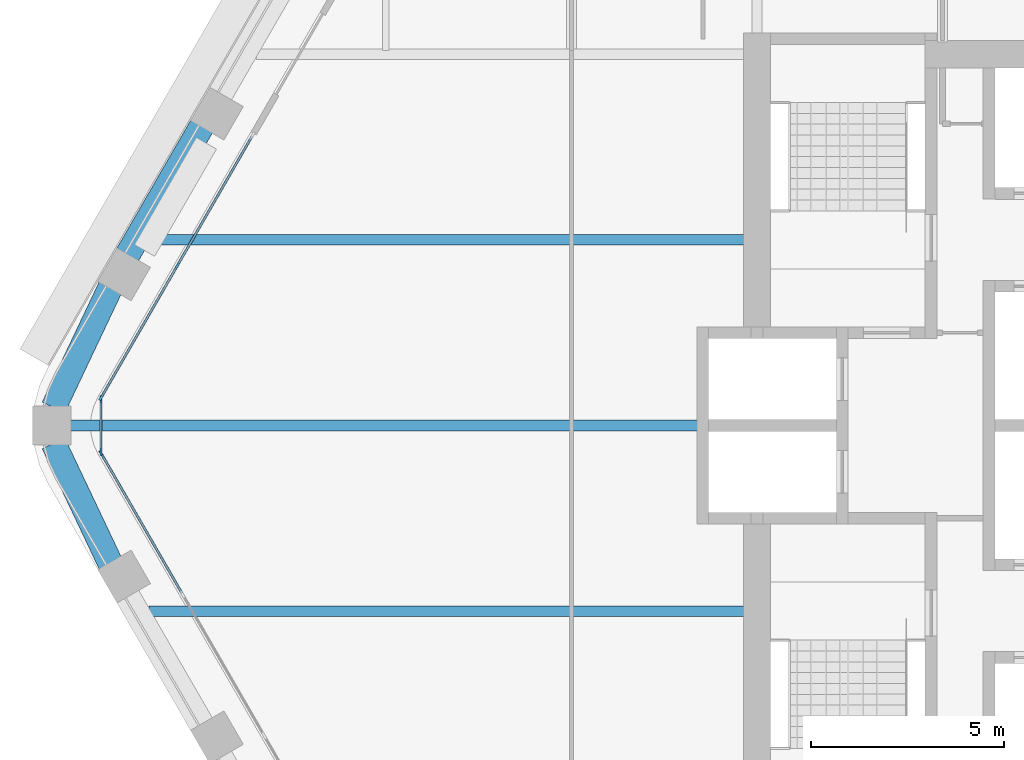
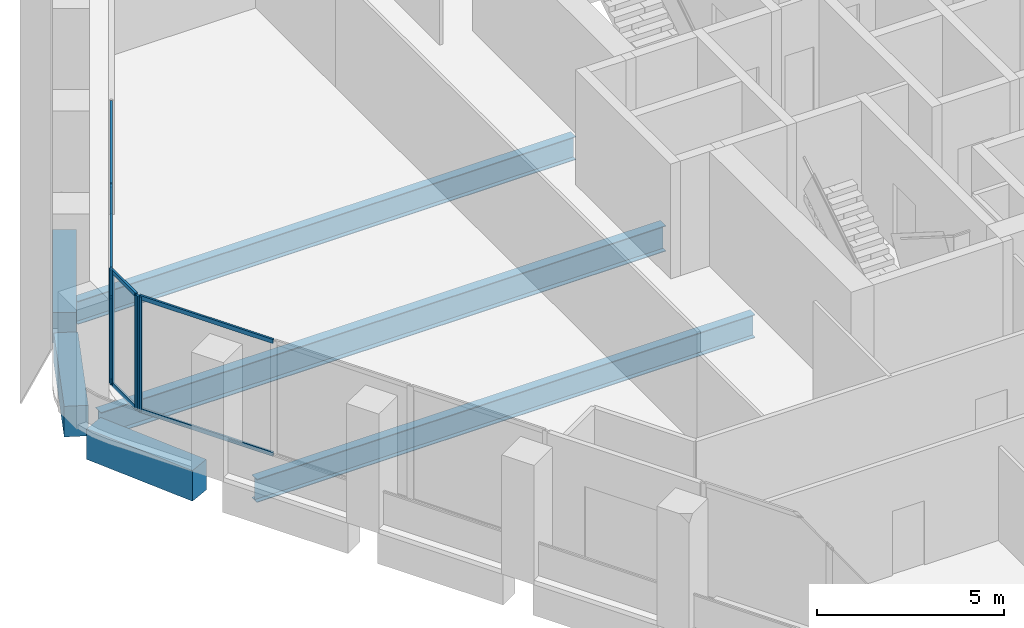
# One storey, part 3 of 15: 13 members, 6 beams, 3 elements without a shape of their own.
"""IFC4 building model written with IfcOpenShell, lengths in metres."""

from ifc_helpers import new_model, si_unit, direction, frame, origin, origin_2d, place, context, subcontext, project, spatial, rectangle, i_section, extrude, material, material_profile, profile_set, type_object, element, aggregate, save


model = new_model("IFC4")

# Units and contexts
model_context = context("Model", 3, precision=1e-05, world=origin(), true_north=direction((0.0, 1.0)))
body_context = subcontext(model_context, "Body", "Model", "MODEL_VIEW")
ifc_project = project(units=[si_unit("LENGTHUNIT", "METRE"), si_unit("AREAUNIT", "SQUARE_METRE"), si_unit("VOLUMEUNIT", "CUBIC_METRE"), si_unit("PLANEANGLEUNIT", "RADIAN"), si_unit("MASSUNIT", "GRAM", prefix="KILO")], contexts=[model_context])

# Site, building, storey
site_placement = place(None, origin())
site = spatial("IfcSite", under=ifc_project, at=site_placement, CompositionType="ELEMENT")
building_placement = place(site_placement, origin())
building = spatial("IfcBuilding", under=site, at=building_placement, Name="Kolab Exchange Tower", CompositionType="ELEMENT")
storey_placement = place(building_placement, frame((0.0, 0.0, 142.699951171875)))
storey = spatial("IfcBuildingStorey", under=building, at=storey_placement, Name="L28", CompositionType="ELEMENT", Elevation=142.699951171875)

# Beams
ifc_material_1 = material(Name="Steel S355", Category="steel")
ifc_material_profile_1 = material_profile(ifc_material_1, i_section(OverallWidth=0.26708984375, OverallDepth=0.761962890625, WebThickness=0.014404296875, FlangeThickness=0.021484375, at=origin_2d()), Name="W760X173")
ifc_profile_set_1 = profile_set([ifc_material_profile_1], Name="Steel S355")
beam_type_1 = type_object("IfcBeamType", Name="FLOOR BEAM W760X173", PredefinedType="BEAM", material=ifc_profile_set_1)
for number, where, z_axis, x_axis, name in (
    (1, (-25.318115234375, -4.800048828125, -0.531005859375), (1.0, 0.0, 0.0), (0.0, 1.0, 0.0), "beam/L28/fr/001"),
    (2, (-25.318115234375, 4.800048828125, -0.531005859375), (1.0, 0.0, 0.0), (0.0, 1.0, 0.0), "beam/L28/fr/002"),
):
    element("IfcBeam", number, at=place(storey_placement, frame(where, z_axis=z_axis, x_axis=x_axis)), inside=storey, type_object=beam_type_1, Name=name, PredefinedType="BEAM", context=body_context, shape_type="SweptSolid", body=[
        extrude(i_section(OverallWidth=0.26708984375, OverallDepth=0.761962890625, WebThickness=0.014404296875, FlangeThickness=0.021484375, at=origin_2d()), origin(), (0.0, 0.0, 1.0), 15.408203125),
    ])
ifc_material_profile_2 = material_profile(ifc_material_1, i_section(OverallWidth=0.2919921875, OverallDepth=0.840087890625, WebThickness=0.0146484375, FlangeThickness=0.021728515625, at=origin_2d()), Name="W840X193")
ifc_profile_set_2 = profile_set([ifc_material_profile_2], Name="Steel S355")
beam_type_2 = type_object("IfcBeamType", Name="FLOOR BEAM W840X193", PredefinedType="BEAM", material=ifc_profile_set_2)
beam_1_placement = place(storey_placement, frame((-27.3759765625, 0.0, -0.570068359375), z_axis=(1.0, 0.0, 0.0), x_axis=(0.0, 1.0, 0.0)))
element("IfcBeam", 3, at=beam_1_placement, inside=storey, type_object=beam_type_2, Name="beam/L28/fr/000", PredefinedType="BEAM", context=body_context, shape_type="SweptSolid", body=[
    extrude(i_section(OverallWidth=0.2919921875, OverallDepth=0.840087890625, WebThickness=0.0146484375, FlangeThickness=0.021728515625, at=origin_2d()), origin(), (0.0, 0.0, 1.0), 17.466064453125),
])
ifc_material_2 = material(Name="Concrete C60/75", Category="concrete")
ifc_material_profile_3 = material_profile(ifc_material_2, rectangle(XDim=0.64990234375, YDim=1.0, at=origin_2d()), Name="RC650X1000")
ifc_profile_set_3 = profile_set([ifc_material_profile_3], Name="Concrete C60/75")
beam_type_3 = type_object("IfcBeamType", Name="SPANDREL BEAM 650X1000 C60/75", PredefinedType="BEAM", material=ifc_profile_set_3)
for number, where, z_axis, x_axis, name in (
    (4, (-26.316162109375, -3.5771484375, -0.64990234375), (-0.428177731975, 0.903694544545, 0.0), (-0.903694544545, -0.428177731975, 0.0), "beam/L28/sp/F5-06"),
    (5, (-27.791259765625, 0.4638671875, -0.64990234375), (0.428177731975, 0.903694544545, 0.0), (-0.903694544545, 0.428177731975, 0.0), "beam/L28/sp/F6-01"),
):
    element("IfcBeam", number, at=place(storey_placement, frame(where, z_axis=z_axis, x_axis=x_axis)), inside=storey, type_object=beam_type_3, Name=name, PredefinedType="BEAM", context=body_context, shape_type="SweptSolid", body=[
        extrude(rectangle(XDim=0.64990234375, YDim=1.0, at=origin_2d()), origin(), (0.0, 0.0, 1.0), 3.445068359375),
    ])
beam_2_placement = place(storey_placement, frame((-25.888427734375, 4.392822265625, -0.64990234375), z_axis=(0.499996613652, 0.866027358884, 0.0), x_axis=(-0.866027358884, 0.499996613652, 0.0)))
element("IfcBeam", 6, at=beam_2_placement, inside=storey, type_object=beam_type_3, Name="beam/L28/sp/F6-02", PredefinedType="BEAM", context=body_context, shape_type="SweptSolid", body=[
    extrude(rectangle(XDim=0.64990234375, YDim=1.0, at=origin_2d()), origin(), (0.0, 0.0, 1.0), 3.8798828125),
])

# Curtain wall, member
ifc_material_3 = material(Name="Aluminium EN AW-6063 T6", Category="aluminium")
curtain_wall_type = type_object("IfcCurtainWallType", Name="UNITISED UPPER MID ZONE CURTAIN WALL", PredefinedType="NOTDEFINED", material=ifc_material_3)
curtain_wall_1_placement = place(storey_placement, origin())
curtain_wall_1 = element("IfcCurtainWall", 7, at=curtain_wall_1_placement, inside=storey, type_object=curtain_wall_type, Name="cw/L28/F5-2", PredefinedType="NOTDEFINED")
ifc_material_profile_4 = material_profile(ifc_material_3, rectangle(XDim=0.06005859375, YDim=0.199951171875, at=origin_2d()), Name="RECT 60X200")
ifc_profile_set_4 = profile_set([ifc_material_profile_4], Name="Aluminium EN AW-6063 T6")
member_type_1 = type_object("IfcMemberType", Name="UNITISED UPPER MID ZONE MULLION 60 X 200", PredefinedType="MULLION", material=ifc_profile_set_4)
member_1_placement = place(storey_placement, frame((-26.550537109375, -0.736083984375, 0.0), z_axis=(0.0, 0.0, 1.0), x_axis=(-0.866025427826, -0.499999958358, 0.0)))
member_1 = element("IfcMember", 8, at=member_1_placement, type_object=member_type_1, Name="CW3 mullion 4", PredefinedType="MULLION", context=body_context, shape_type="SweptSolid", body=[
    extrude(rectangle(XDim=0.06005859375, YDim=0.199951171875, at=origin_2d()), origin(), (0.0, 0.0, 1.0), 3.75),
])

# Curtain wall, members
curtain_wall_2_placement = place(storey_placement, origin())
curtain_wall_2 = element("IfcCurtainWall", 9, at=curtain_wall_2_placement, inside=storey, type_object=curtain_wall_type, Name="cw/L28/F6-1", PredefinedType="NOTDEFINED")
member_2_placement = place(storey_placement, frame((-26.550537109375, 0.736083984375, 0.0), z_axis=(0.0, 0.0, 1.0), x_axis=(-0.866025440524, 0.499999936366, 0.0)))
member_2 = element("IfcMember", 10, at=member_2_placement, type_object=member_type_1, Name="CW3 mullion 1", PredefinedType="MULLION", context=body_context, shape_type="SweptSolid", body=[
    extrude(rectangle(XDim=0.06005859375, YDim=0.199951171875, at=origin_2d()), origin(), (0.0, 0.0, 1.0), 3.75),
])
member_3_placement = place(storey_placement, frame((-24.5986328125, 4.116943359375, 0.0), z_axis=(0.0, 0.0, 1.0), x_axis=(-0.866025440524, 0.499999936366, 0.0)))
member_3 = element("IfcMember", 11, at=member_3_placement, type_object=member_type_1, Name="CW3 mullion 2", PredefinedType="MULLION", context=body_context, shape_type="SweptSolid", body=[
    extrude(rectangle(XDim=0.06005859375, YDim=0.199951171875, at=origin_2d()), origin(), (0.0, 0.0, 1.0), 3.75),
])

curtain_wall_3_placement = place(storey_placement, origin())
curtain_wall_3 = element("IfcCurtainWall", 12, at=curtain_wall_3_placement, inside=storey, type_object=curtain_wall_type, Name="cw/L28/F5F6-corner", PredefinedType="NOTDEFINED")
member_4_placement = place(storey_placement, frame((-26.565673828125, -0.679931640625, 0.0), z_axis=(0.0, 0.0, 1.0), x_axis=(-1.0, 0.0, 0.0)))
member_4 = element("IfcMember", 13, at=member_4_placement, type_object=member_type_1, Name="CW3 mullion 1", PredefinedType="MULLION", context=body_context, shape_type="SweptSolid", body=[
    extrude(rectangle(XDim=0.06005859375, YDim=0.199951171875, at=origin_2d()), origin(), (0.0, 0.0, 1.0), 3.75),
])
member_5_placement = place(storey_placement, frame((-26.565673828125, 0.679931640625, 0.0), z_axis=(0.0, 0.0, 1.0), x_axis=(-1.0, 0.0, 0.0)))
member_5 = element("IfcMember", 14, at=member_5_placement, type_object=member_type_1, Name="CW3 mullion 2", PredefinedType="MULLION", context=body_context, shape_type="SweptSolid", body=[
    extrude(rectangle(XDim=0.06005859375, YDim=0.199951171875, at=origin_2d()), origin(), (0.0, 0.0, 1.0), 3.75),
])

# Member
ifc_material_profile_5 = material_profile(ifc_material_3, rectangle(XDim=0.06005859375, YDim=0.139892578125, at=origin_2d()), Name="RECT 60X140")
ifc_profile_set_5 = profile_set([ifc_material_profile_5], Name="Aluminium EN AW-6063 T6")
member_type_2 = type_object("IfcMemberType", Name="UNITISED UPPER MID ZONE TRANSOM 60 X 140", PredefinedType="USERDEFINED", material=ifc_profile_set_5)
member_6_placement = place(storey_placement, frame((-24.46923828125, -4.3408203125, 0.030029296875), z_axis=(-0.500027577057, 0.866009481578, 0.0), x_axis=(-0.866009481578, -0.500027577057, 0.0)))
member_6 = element("IfcMember", 15, at=member_6_placement, type_object=member_type_2, Name="CW3 transom 3.1", ObjectType="TRANSOM", PredefinedType="USERDEFINED", context=body_context, shape_type="SweptSolid", body=[
    extrude(rectangle(XDim=0.06005859375, YDim=0.139892578125, at=origin_2d()), origin(), (0.0, 0.0, 1.0), 4.132568359375),
])

member_7_placement = place(storey_placement, frame((-24.46923828125, -4.3408203125, 3.719970703125), z_axis=(-0.500027577057, 0.866009481578, 0.0), x_axis=(-0.866009481578, -0.500027577057, 0.0)))
member_7 = element("IfcMember", 16, at=member_7_placement, type_object=member_type_2, Name="CW3 transom 3.2", ObjectType="TRANSOM", PredefinedType="USERDEFINED", context=body_context, shape_type="SweptSolid", body=[
    extrude(rectangle(XDim=0.06005859375, YDim=0.139892578125, at=origin_2d()), origin(), (0.0, 0.0, 1.0), 4.132568359375),
])

aggregate(curtain_wall_1, [member_1, member_6, member_7])

member_8_placement = place(storey_placement, frame((-26.53564453125, 0.761962890625, 0.030029296875), z_axis=(0.499991857942, 0.866030104553, 0.0), x_axis=(-0.866030104553, 0.499991857942, 0.0)))
member_8 = element("IfcMember", 17, at=member_8_placement, type_object=member_type_2, Name="CW3 transom 1.1", ObjectType="TRANSOM", PredefinedType="USERDEFINED", context=body_context, shape_type="SweptSolid", body=[
    extrude(rectangle(XDim=0.06005859375, YDim=0.139892578125, at=origin_2d()), origin(), (0.0, 0.0, 1.0), 3.84375),
])

member_9_placement = place(storey_placement, frame((-26.53564453125, 0.761962890625, 3.719970703125), z_axis=(0.499991857942, 0.866030104553, 0.0), x_axis=(-0.866030104553, 0.499991857942, 0.0)))
member_9 = element("IfcMember", 18, at=member_9_placement, type_object=member_type_2, Name="CW3 transom 1.2", ObjectType="TRANSOM", PredefinedType="USERDEFINED", context=body_context, shape_type="SweptSolid", body=[
    extrude(rectangle(XDim=0.06005859375, YDim=0.139892578125, at=origin_2d()), origin(), (0.0, 0.0, 1.0), 3.84375),
])

member_10_placement = place(storey_placement, frame((-24.583740234375, 4.142822265625, 0.030029296875), z_axis=(0.500011990396, 0.866018481016, 0.0), x_axis=(-0.866018481016, 0.500011990396, 0.0)))
member_10 = element("IfcMember", 19, at=member_10_placement, type_object=member_type_2, Name="CW3 transom 2.1", ObjectType="TRANSOM", PredefinedType="USERDEFINED", context=body_context, shape_type="SweptSolid", body=[
    extrude(rectangle(XDim=0.06005859375, YDim=0.139892578125, at=origin_2d()), origin(), (0.0, 0.0, 1.0), 3.84423828125),
])

member_11_placement = place(storey_placement, frame((-24.583740234375, 4.142822265625, 3.719970703125), z_axis=(0.500011990396, 0.866018481016, 0.0), x_axis=(-0.866018481016, 0.500011990396, 0.0)))
member_11 = element("IfcMember", 20, at=member_11_placement, type_object=member_type_2, Name="CW3 transom 2.2", ObjectType="TRANSOM", PredefinedType="USERDEFINED", context=body_context, shape_type="SweptSolid", body=[
    extrude(rectangle(XDim=0.06005859375, YDim=0.139892578125, at=origin_2d()), origin(), (0.0, 0.0, 1.0), 3.84423828125),
])

aggregate(curtain_wall_2, [member_2, member_3, member_8, member_9, member_10, member_11])

member_12_placement = place(storey_placement, frame((-26.565673828125, -0.64990234375, 0.030029296875), z_axis=(0.0, 1.0, 0.0), x_axis=(-1.0, 0.0, 0.0)))
member_12 = element("IfcMember", 21, at=member_12_placement, type_object=member_type_2, Name="CW3 transom 1.1", ObjectType="TRANSOM", PredefinedType="USERDEFINED", context=body_context, shape_type="SweptSolid", body=[
    extrude(rectangle(XDim=0.06005859375, YDim=0.139892578125, at=origin_2d()), origin(), (0.0, 0.0, 1.0), 1.2998046875),
])

member_13_placement = place(storey_placement, frame((-26.565673828125, -0.64990234375, 3.719970703125), z_axis=(0.0, 1.0, 0.0), x_axis=(-1.0, 0.0, 0.0)))
member_13 = element("IfcMember", 22, at=member_13_placement, type_object=member_type_2, Name="CW3 transom 1.2", ObjectType="TRANSOM", PredefinedType="USERDEFINED", context=body_context, shape_type="SweptSolid", body=[
    extrude(rectangle(XDim=0.06005859375, YDim=0.139892578125, at=origin_2d()), origin(), (0.0, 0.0, 1.0), 1.2998046875),
])

aggregate(curtain_wall_3, [member_4, member_5, member_12, member_13])

save(model, "model.ifc")
